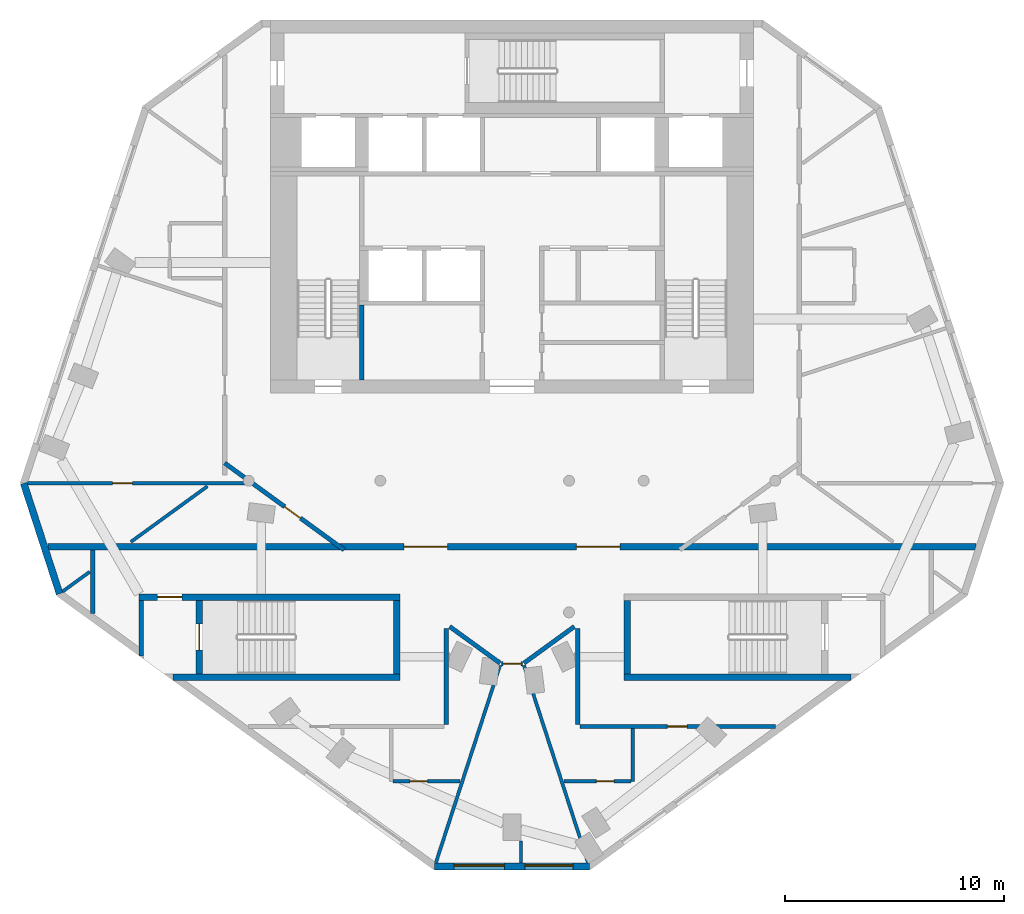
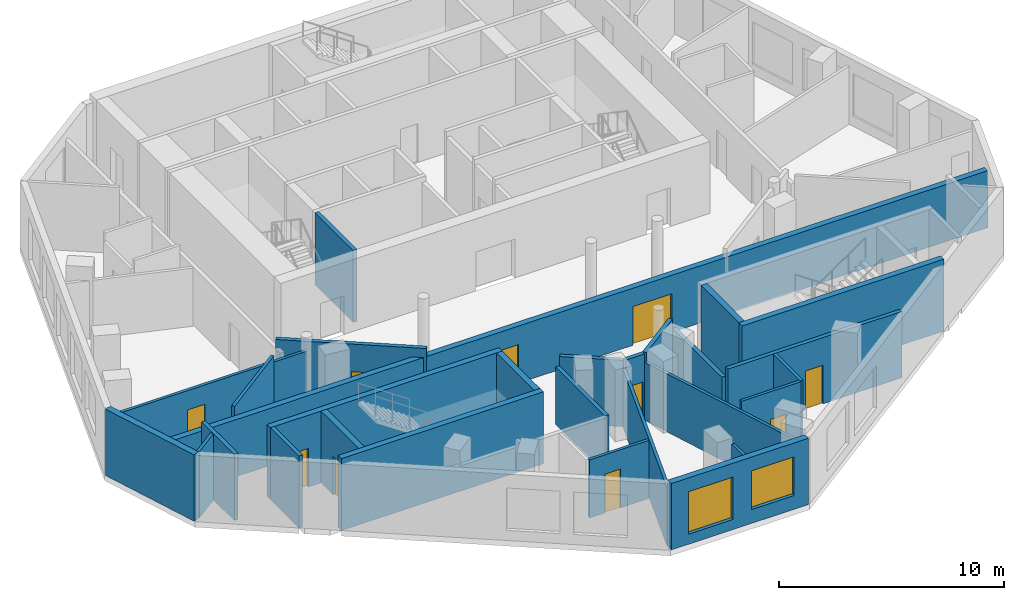
# One storey, part 2 of 8: 28 walls, 10 doors, 2 windows, 12 openings.
"""IFC4 building model written with IfcOpenShell, lengths in metres."""

from ifc_helpers import new_model, si_unit, direction, frame, frame_2d, origin, place, context, subcontext, project, spatial, rectangle, extrude, material, layer, layer_set, type_object, element, fill, save


model = new_model("IFC4")

# Units and contexts
model_context = context("Model", 3, precision=1e-05, world=origin(), true_north=direction((0.0, 1.0)))
body_context = subcontext(model_context, "Body", "Model", "MODEL_VIEW")
ifc_project = project(units=[si_unit("LENGTHUNIT", "METRE"), si_unit("AREAUNIT", "SQUARE_METRE"), si_unit("VOLUMEUNIT", "CUBIC_METRE"), si_unit("PLANEANGLEUNIT", "RADIAN"), si_unit("MASSUNIT", "GRAM", prefix="KILO")], contexts=[model_context])

# Site, building, storey
site_placement = place(None, origin())
site = spatial("IfcSite", under=ifc_project, at=site_placement, CompositionType="ELEMENT")
building_placement = place(site_placement, origin())
building = spatial("IfcBuilding", under=site, at=building_placement, Name="White Candle Pilgrim Tower", CompositionType="ELEMENT")
storey_placement = place(building_placement, frame((0.0, 0.0, 313.89990234375)))
storey = spatial("IfcBuildingStorey", under=building, at=storey_placement, Name="L74", CompositionType="ELEMENT", Elevation=313.89990234375)

# Walls
ifc_material_1 = material(Name="Concrete C40/50", Category="concrete")
ifc_layer_1 = layer(ifc_material_1, 0.199951171875)
ifc_layer_set_1 = layer_set([ifc_layer_1], Name="Core wall 200 mm Concrete C40/50")
wall_type_1 = type_object("IfcWallType", Name="Core wall 200 mm Concrete C40/50", PredefinedType="SHEAR", material=ifc_layer_set_1)
wall_1_placement = place(storey_placement, frame((53.10009765625, 59.023193359375, 0.0), z_axis=(0.0, 0.0, 1.0), x_axis=(0.0, 1.0, 0.0)))
element("IfcWall", 1, at=wall_1_placement, inside=storey, type_object=wall_type_1, Name="WL-L74-C07", PredefinedType="SHEAR", context=body_context, shape_type="SweptSolid", body=[
    extrude(rectangle(XDim=2.52685546875, YDim=0.199951171875, at=frame_2d((1.263427734375, 0.0))), origin(), (0.0, 0.0, 1.0), 3.900146484375),
])
ifc_material_2 = material(Name="Gypsum board on steel studs", Category="steel")
ifc_layer_2 = layer(ifc_material_2, 0.199951171875)
ifc_layer_set_2 = layer_set([ifc_layer_2], Name="Corridor wall 200 mm EI 45")
wall_type_2 = type_object("IfcWallType", Name="Corridor wall 200 mm EI 45", PredefinedType="PARTITIONING", material=ifc_layer_set_2)
wall_2_placement = place(storey_placement, frame((50.89990234375, 60.9443359375, 0.0), z_axis=(0.0, 0.0, 1.0), x_axis=(0.0, 1.0, 0.0)))
element("IfcWall", 2, at=wall_2_placement, inside=storey, type_object=wall_type_2, Name="WL-L74-P002", PredefinedType="PARTITIONING", context=body_context, shape_type="SweptSolid", body=[
    extrude(rectangle(XDim=2.90576171875, YDim=0.199951171875, at=frame_2d((1.452880859375, 0.0))), origin(), (0.0, 0.0, 1.0), 3.60009765625),
])

# Wall, opening, door
wall_3_placement = place(storey_placement, frame((62.3486328125, 63.85009765625, 0.0), z_axis=(0.0, 0.0, 1.0), x_axis=(-0.809033820778, 0.587762092038, 0.0)))
wall_3 = element("IfcWall", 3, at=wall_3_placement, inside=storey, type_object=wall_type_2, Name="WL-L74-P003", PredefinedType="PARTITIONING", context=body_context, shape_type="SweptSolid", body=[
    extrude(rectangle(XDim=6.73486328125, YDim=0.199951171875, at=frame_2d((3.367431640625, 0.0))), origin(), (0.0, 0.0, 1.0), 3.60009765625),
])
opening_1_placement = place(wall_3_placement, frame((2.44970703125, 0.0, 0.0)))
opening_1 = element("IfcOpeningElement", 4, at=opening_1_placement, cuts=wall_3, Name="Opening T22-119", PredefinedType="OPENING", context=body_context, shape_type="SweptSolid", body=[
    extrude(rectangle(XDim=0.89990234375, YDim=2.10009765625, at=frame_2d((0.449951171875, 1.050048828125))), frame((0.0, 0.10986328125, 0.0), z_axis=(0.0, -1.0, 0.0), x_axis=(1.0, 0.0, 0.0)), (0.0, 0.0, 1.0), 0.219970703125),
])
ifc_material_3 = material(Name="Steel door leaf", Category="steel")
door_type_1 = type_object("IfcDoorType", Name="Fire door 900 x 2100 EI 30", OperationType="NOTDEFINED", PredefinedType="DOOR", material=ifc_material_3)
door_1_placement = place(opening_1_placement, origin())
door_1 = element("IfcDoor", 5, at=door_1_placement, inside=storey, type_object=door_type_1, Name="Door T22-119", OperationType="SINGLE_SWING_LEFT", OverallHeight=2.10009765625, OverallWidth=0.89990234375, PredefinedType="DOOR", context=body_context, shape_type="SweptSolid", body=[
    extrude(rectangle(XDim=0.89990234375, YDim=2.10009765625, at=frame_2d((0.449951171875, 1.050048828125))), frame((0.0, 0.02490234375, 0.0), z_axis=(0.0, -1.0, 0.0), x_axis=(1.0, 0.0, 0.0)), (0.0, 0.0, 1.0), 0.050048828125),
])
fill(opening_1, door_1)

wall_4_placement = place(storey_placement, frame((82.019287109375, 55.800048828125, 0.0), z_axis=(0.0, 0.0, 1.0), x_axis=(-1.0, 0.0, 0.0)))
wall_4 = element("IfcWall", 6, at=wall_4_placement, inside=storey, type_object=wall_type_2, Name="WL-L74-P008", PredefinedType="PARTITIONING", context=body_context, shape_type="SweptSolid", body=[
    extrude(rectangle(XDim=8.919189453125, YDim=0.199951171875, at=frame_2d((4.45947265625, 0.0))), origin(), (0.0, 0.0, 1.0), 3.60009765625),
])
opening_2_placement = place(wall_4_placement, frame((4.0419921875, 0.0, 0.0)))
opening_2 = element("IfcOpeningElement", 7, at=opening_2_placement, cuts=wall_4, Name="Opening T22-106", PredefinedType="OPENING", context=body_context, shape_type="SweptSolid", body=[
    extrude(rectangle(XDim=0.89990234375, YDim=2.10009765625, at=frame_2d((0.449951171875, 1.050048828125))), frame((0.0, 0.10986328125, 0.0), z_axis=(0.0, -1.0, 0.0), x_axis=(1.0, 0.0, 0.0)), (0.0, 0.0, 1.0), 0.219970703125),
])
door_2_placement = place(opening_2_placement, origin())
door_2 = element("IfcDoor", 8, at=door_2_placement, inside=storey, type_object=door_type_1, Name="Door T22-106", OperationType="SINGLE_SWING_RIGHT", OverallHeight=2.10009765625, OverallWidth=0.89990234375, PredefinedType="DOOR", context=body_context, shape_type="SweptSolid", body=[
    extrude(rectangle(XDim=0.89990234375, YDim=2.10009765625, at=frame_2d((0.449951171875, 1.050048828125))), frame((0.0, 0.02490234375, 0.0), z_axis=(0.0, -1.0, 0.0), x_axis=(1.0, 0.0, 0.0)), (0.0, 0.0, 1.0), 0.050048828125),
])
fill(opening_2, door_2)

# Walls
wall_5_placement = place(storey_placement, frame((73.0, 55.89990234375, 0.0), z_axis=(0.0, 0.0, 1.0), x_axis=(0.0, 1.0, 0.0)))
element("IfcWall", 9, at=wall_5_placement, inside=storey, type_object=wall_type_2, Name="WL-L74-P009", PredefinedType="PARTITIONING", context=body_context, shape_type="SweptSolid", body=[
    extrude(rectangle(XDim=4.37451171875, YDim=0.199951171875, at=frame_2d((2.187255859375, 0.0))), origin(), (0.0, 0.0, 1.0), 3.10009765625),
])
wall_6_placement = place(storey_placement, frame((72.84130859375, 60.355224609375, 0.0), z_axis=(0.0, 0.0, 1.0), x_axis=(-0.80904479074, -0.587746991976, 0.0)))
element("IfcWall", 10, at=wall_6_placement, inside=storey, type_object=wall_type_2, Name="WL-L74-P010", PredefinedType="PARTITIONING", context=body_context, shape_type="SweptSolid", body=[
    extrude(rectangle(XDim=2.83740234375, YDim=0.199951171875, at=frame_2d((1.418701171875, 0.0))), origin(), (0.0, 0.0, 1.0), 3.60009765625),
])

# Wall, opening, door
wall_7_placement = place(storey_placement, frame((70.48681640625, 58.668212890625, 0.0), z_axis=(0.0, 0.0, 1.0), x_axis=(-1.0, 0.0, 0.0)))
wall_7 = element("IfcWall", 11, at=wall_7_placement, inside=storey, type_object=wall_type_2, Name="WL-L74-P011", PredefinedType="PARTITIONING", context=body_context, shape_type="SweptSolid", body=[
    extrude(rectangle(XDim=0.9736328125, YDim=0.199951171875, at=frame_2d((0.48681640625, 0.0))), origin(), (0.0, 0.0, 1.0), 3.60009765625),
])
opening_3_placement = place(wall_7_placement, frame((0.0869140625, 0.0, 0.0)))
opening_3 = element("IfcOpeningElement", 12, at=opening_3_placement, cuts=wall_7, Name="Opening T22-104", PredefinedType="OPENING", context=body_context, shape_type="SweptSolid", body=[
    extrude(rectangle(XDim=0.800048828125, YDim=2.10009765625, at=frame_2d((0.39990234375, 1.050048828125))), frame((0.0, 0.10986328125, 0.0), z_axis=(0.0, -1.0, 0.0), x_axis=(1.0, 0.0, 0.0)), (0.0, 0.0, 1.0), 0.219970703125),
])
door_type_2 = type_object("IfcDoorType", Name="Fire door 800 x 2100 EI 30", OperationType="NOTDEFINED", PredefinedType="DOOR", material=ifc_material_3)
door_3_placement = place(opening_3_placement, origin())
door_3 = element("IfcDoor", 13, at=door_3_placement, inside=storey, type_object=door_type_2, Name="Door T22-104", OperationType="SINGLE_SWING_RIGHT", OverallHeight=2.10009765625, OverallWidth=0.800048828125, PredefinedType="DOOR", context=body_context, shape_type="SweptSolid", body=[
    extrude(rectangle(XDim=0.800048828125, YDim=2.10009765625, at=frame_2d((0.39990234375, 1.050048828125))), frame((0.0, 0.02490234375, 0.0), z_axis=(0.0, -1.0, 0.0), x_axis=(1.0, 0.0, 0.0)), (0.0, 0.0, 1.0), 0.050048828125),
])
fill(opening_3, door_3)

# Walls
wall_8_placement = place(storey_placement, frame((69.454345703125, 58.6875, 0.0), z_axis=(0.0, 0.0, 1.0), x_axis=(-0.80904479074, 0.587746991976, 0.0)))
element("IfcWall", 14, at=wall_8_placement, inside=storey, type_object=wall_type_2, Name="WL-L74-P012", PredefinedType="PARTITIONING", context=body_context, shape_type="SweptSolid", body=[
    extrude(rectangle(XDim=2.83740234375, YDim=0.199951171875, at=frame_2d((1.418701171875, 0.0))), origin(), (0.0, 0.0, 1.0), 3.60009765625),
])
wall_9_placement = place(storey_placement, frame((67.0, 60.2744140625, 0.0), z_axis=(0.0, 0.0, 1.0), x_axis=(0.0, -1.0, 0.0)))
element("IfcWall", 15, at=wall_9_placement, inside=storey, type_object=wall_type_2, Name="WL-L74-P013", PredefinedType="PARTITIONING", context=body_context, shape_type="SweptSolid", body=[
    extrude(rectangle(XDim=4.37451171875, YDim=0.199951171875, at=frame_2d((2.187255859375, 0.0))), origin(), (0.0, 0.0, 1.0), 3.10009765625),
])
ifc_material_4 = material(Name="Precast concrete C40/50", Category="concrete")
ifc_layer_3 = layer(ifc_material_4, 0.320068359375)
ifc_layer_set_3 = layer_set([ifc_layer_3], Name="Facade wall EW1 precast concrete C40/50 pier wall with timber-lined reveals")
wall_type_3 = type_object("IfcWallType", Name="Facade wall EW1 precast concrete C40/50 pier wall with timber-lined reveals", PredefinedType="SOLIDWALL", material=ifc_layer_set_3)
wall_10_placement = place(storey_placement, frame((47.744140625, 66.8837890625, 0.0), z_axis=(0.0, 0.0, 1.0), x_axis=(0.30904851291, -0.951046274725, 0.0)))
element("IfcWall", 16, at=wall_10_placement, inside=storey, type_object=wall_type_3, Name="Facade wall L74 W chamfer", PredefinedType="SOLIDWALL", context=body_context, shape_type="SweptSolid", body=[
    extrude(rectangle(XDim=5.291259765625, YDim=0.320068359375, at=frame_2d((2.6455078125, 0.0))), origin(), (0.0, 0.0, 1.0), 3.60009765625),
])

# Wall, openings, windows
wall_11_placement = place(storey_placement, frame((66.478515625, 49.42822265625, 0.0), z_axis=(0.0, 0.0, 1.0), x_axis=(1.0, 0.0, 0.0)))
wall_11 = element("IfcWall", 17, at=wall_11_placement, inside=storey, type_object=wall_type_3, Name="Facade wall L74 S chamfer", PredefinedType="SOLIDWALL", context=body_context, shape_type="SweptSolid", body=[
    extrude(rectangle(XDim=7.04296875, YDim=0.320068359375, at=frame_2d((3.521484375, 0.0))), origin(), (0.0, 0.0, 1.0), 3.60009765625),
])
opening_4_placement = place(wall_11_placement, frame((0.87158203125, 0.0, 0.550048828125)))
opening_4 = element("IfcOpeningElement", 18, at=opening_4_placement, cuts=wall_11, Name="Opening W6", PredefinedType="OPENING", context=body_context, shape_type="SweptSolid", body=[
    extrude(rectangle(XDim=2.300048828125, YDim=2.300048828125, at=frame_2d((1.14990234375, 1.14990234375))), frame((0.0, 0.169921875, 0.0), z_axis=(0.0, -1.0, 0.0), x_axis=(1.0, 0.0, 0.0)), (0.0, 0.0, 1.0), 0.340087890625),
])
opening_5_placement = place(wall_11_placement, frame((4.106689453125, 0.0, 0.75)))
opening_5 = element("IfcOpeningElement", 19, at=opening_5_placement, cuts=wall_11, Name="Opening W4", PredefinedType="OPENING", context=body_context, shape_type="SweptSolid", body=[
    extrude(rectangle(XDim=2.199951171875, YDim=2.10009765625, at=frame_2d((1.10009765625, 1.050048828125))), frame((0.0, 0.169921875, 0.0), z_axis=(0.0, -1.0, 0.0), x_axis=(1.0, 0.0, 0.0)), (0.0, 0.0, 1.0), 0.340087890625),
])
ifc_material_5 = material(Name="Timber frame with triple glazing", Category="wood")
window_type_1 = type_object("IfcWindowType", Name="Window W4 2200x2100 timber frame triple glazing", PartitioningType="SINGLE_PANEL", PredefinedType="WINDOW", material=ifc_material_5)
window_1_placement = place(opening_5_placement, origin())
window_1 = element("IfcWindow", 20, at=window_1_placement, inside=storey, type_object=window_type_1, Name="Window W4 L74 S chamfer 2", OverallHeight=2.10009765625, OverallWidth=2.199951171875, PartitioningType="SINGLE_PANEL", PredefinedType="WINDOW", context=body_context, shape_type="SweptSolid", body=[
    extrude(rectangle(XDim=2.199951171875, YDim=2.10009765625, at=frame_2d((1.10009765625, 1.050048828125))), frame((0.0, 0.070068359375, 0.0), z_axis=(0.0, -1.0, 0.0), x_axis=(1.0, 0.0, 0.0)), (0.0, 0.0, 1.0), 0.06005859375),
])
fill(opening_5, window_1)
window_type_2 = type_object("IfcWindowType", Name="Window W6 2300x2300 timber frame triple glazing", PartitioningType="SINGLE_PANEL", PredefinedType="WINDOW", material=ifc_material_5)
window_2_placement = place(opening_4_placement, origin())
window_2 = element("IfcWindow", 21, at=window_2_placement, inside=storey, type_object=window_type_2, Name="Window W6 L74 S chamfer 1", OverallHeight=2.300048828125, OverallWidth=2.300048828125, PartitioningType="SINGLE_PANEL", PredefinedType="WINDOW", context=body_context, shape_type="SweptSolid", body=[
    extrude(rectangle(XDim=2.300048828125, YDim=2.300048828125, at=frame_2d((1.14990234375, 1.14990234375))), frame((0.0, 0.070068359375, 0.0), z_axis=(0.0, -1.0, 0.0), x_axis=(1.0, 0.0, 0.0)), (0.0, 0.0, 1.0), 0.06005859375),
])
fill(opening_4, window_2)

# Wall, openings, doors
ifc_material_6 = material(Name="Aerated concrete block", Category="concrete")
ifc_layer_4 = layer(ifc_material_6, 0.300048828125)
ifc_layer_set_4 = layer_set([ifc_layer_4], Name="Fire wall 300 mm REI 240")
wall_type_4 = type_object("IfcWallType", Name="Fire wall 300 mm REI 240", PredefinedType="PARTITIONING", material=ifc_layer_set_4)
wall_12_placement = place(storey_placement, frame((48.849609375, 64.0, 0.0), z_axis=(0.0, 0.0, 1.0), x_axis=(1.0, 0.0, 0.0)))
wall_12 = element("IfcWall", 22, at=wall_12_placement, inside=storey, type_object=wall_type_4, Name="WL-L74-P001", PredefinedType="PARTITIONING", context=body_context, shape_type="SweptSolid", body=[
    extrude(rectangle(XDim=42.30078125, YDim=0.300048828125, at=frame_2d((21.150390625, 0.0))), origin(), (0.0, 0.0, 1.0), 3.10009765625),
])
opening_6_placement = place(wall_12_placement, frame((16.2216796875, 0.0, 0.0)))
opening_6 = element("IfcOpeningElement", 23, at=opening_6_placement, cuts=wall_12, Name="Opening T22-108", PredefinedType="OPENING", context=body_context, shape_type="SweptSolid", body=[
    extrude(rectangle(XDim=2.0, YDim=2.10009765625, at=frame_2d((1.0, 1.050048828125))), frame((0.0, 0.159912109375, 0.0), z_axis=(0.0, -1.0, 0.0), x_axis=(1.0, 0.0, 0.0)), (0.0, 0.0, 1.0), 0.320068359375),
])
opening_7_placement = place(wall_12_placement, frame((24.079345703125, 0.0, 0.0)))
opening_7 = element("IfcOpeningElement", 24, at=opening_7_placement, cuts=wall_12, Name="Opening T22-109", PredefinedType="OPENING", context=body_context, shape_type="SweptSolid", body=[
    extrude(rectangle(XDim=2.0, YDim=2.10009765625, at=frame_2d((1.0, 1.050048828125))), frame((0.0, 0.159912109375, 0.0), z_axis=(0.0, -1.0, 0.0), x_axis=(1.0, 0.0, 0.0)), (0.0, 0.0, 1.0), 0.320068359375),
])
door_type_3 = type_object("IfcDoorType", Name="Fire door 2000 x 2100 EI 60", OperationType="NOTDEFINED", PredefinedType="DOOR", material=ifc_material_3)
door_4_placement = place(opening_6_placement, origin())
door_4 = element("IfcDoor", 25, at=door_4_placement, inside=storey, type_object=door_type_3, Name="Door T22-108", OperationType="DOUBLE_DOOR_SINGLE_SWING", OverallHeight=2.10009765625, OverallWidth=2.0, PredefinedType="DOOR", context=body_context, shape_type="SweptSolid", body=[
    extrude(rectangle(XDim=2.0, YDim=2.10009765625, at=frame_2d((1.0, 1.050048828125))), frame((0.0, 0.02490234375, 0.0), z_axis=(0.0, -1.0, 0.0), x_axis=(1.0, 0.0, 0.0)), (0.0, 0.0, 1.0), 0.050048828125),
])
fill(opening_6, door_4)
door_5_placement = place(opening_7_placement, origin())
door_5 = element("IfcDoor", 26, at=door_5_placement, inside=storey, type_object=door_type_3, Name="Door T22-109", OperationType="DOUBLE_DOOR_SINGLE_SWING", OverallHeight=2.10009765625, OverallWidth=2.0, PredefinedType="DOOR", context=body_context, shape_type="SweptSolid", body=[
    extrude(rectangle(XDim=2.0, YDim=2.10009765625, at=frame_2d((1.0, 1.050048828125))), frame((0.0, 0.02490234375, 0.0), z_axis=(0.0, -1.0, 0.0), x_axis=(1.0, 0.0, 0.0)), (0.0, 0.0, 1.0), 0.050048828125),
])
fill(opening_7, door_5)

# Wall, opening, door
ifc_layer_5 = layer(ifc_material_2, 0.14990234375)
ifc_layer_set_5 = layer_set([ifc_layer_5], Name="Partition 150 mm EI 60")
wall_type_5 = type_object("IfcWallType", Name="Partition 150 mm EI 60", PredefinedType="PARTITIONING", material=ifc_layer_set_5)
wall_13_placement = place(storey_placement, frame((47.91259765625, 66.8837890625, 0.0), z_axis=(0.0, 0.0, 1.0), x_axis=(1.0, 0.0, 0.0)))
wall_13 = element("IfcWall", 27, at=wall_13_placement, inside=storey, type_object=wall_type_5, Name="WL-L74-P016", PredefinedType="PARTITIONING", context=body_context, shape_type="SweptSolid", body=[
    extrude(rectangle(XDim=9.987060546875, YDim=0.14990234375, at=frame_2d((4.99365234375, 0.0))), origin(), (0.0, 0.0, 1.0), 3.150146484375),
])
opening_8_placement = place(wall_13_placement, frame((3.8798828125, 0.0, 0.0)))
opening_8 = element("IfcOpeningElement", 28, at=opening_8_placement, cuts=wall_13, Name="Opening T22-120", PredefinedType="OPENING", context=body_context, shape_type="SweptSolid", body=[
    extrude(rectangle(XDim=0.89990234375, YDim=2.10009765625, at=frame_2d((0.449951171875, 1.050048828125))), frame((0.0, 0.0849609375, 0.0), z_axis=(0.0, -1.0, 0.0), x_axis=(1.0, 0.0, 0.0)), (0.0, 0.0, 1.0), 0.169921875),
])
door_6_placement = place(opening_8_placement, frame((0.89990234375, 0.0, 0.0), z_axis=(0.0, 0.0, 1.0), x_axis=(-1.0, 0.0, 0.0)))
door_6 = element("IfcDoor", 29, at=door_6_placement, inside=storey, type_object=door_type_1, Name="Door T22-120", OperationType="SINGLE_SWING_LEFT", OverallHeight=2.10009765625, OverallWidth=0.89990234375, PredefinedType="DOOR", context=body_context, shape_type="SweptSolid", body=[
    extrude(rectangle(XDim=0.89990234375, YDim=2.10009765625, at=frame_2d((0.449951171875, 1.050048828125))), frame((0.0, 0.02490234375, 0.0), z_axis=(0.0, -1.0, 0.0), x_axis=(1.0, 0.0, 0.0)), (0.0, 0.0, 1.0), 0.050048828125),
])
fill(opening_8, door_6)

# Walls
wall_14_placement = place(storey_placement, frame((49.515380859375, 61.950439453125, 0.0), z_axis=(0.0, 0.0, 1.0), x_axis=(0.809059590881, 0.587726618764, 0.0)))
element("IfcWall", 30, at=wall_14_placement, inside=storey, type_object=wall_type_5, Name="WL-L74-P017", PredefinedType="PARTITIONING", context=body_context, shape_type="SweptSolid", body=[
    extrude(rectangle(XDim=1.533203125, YDim=0.14990234375, at=frame_2d((0.7666015625, 0.0))), origin(), (0.0, 0.0, 1.0), 3.60009765625),
])
wall_15_placement = place(storey_placement, frame((52.62646484375, 64.210693359375, 0.0), z_axis=(0.0, 0.0, 1.0), x_axis=(0.809014773285, 0.587788309348, 0.0)))
element("IfcWall", 31, at=wall_15_placement, inside=storey, type_object=wall_type_5, Name="WL-L74-P018", PredefinedType="PARTITIONING", context=body_context, shape_type="SweptSolid", body=[
    extrude(rectangle(XDim=4.317138671875, YDim=0.14990234375, at=frame_2d((2.15869140625, 0.0))), origin(), (0.0, 0.0, 1.0), 3.60009765625),
])
for number, where, z_axis, x_axis, name in (
    (32, (66.530517578125, 49.58837890625, 0.0), (0.0, 0.0, 1.0), (0.3090043917, 0.95106061106, 0.0), "WL-L74-P019"),
    (33, (73.469482421875, 49.58837890625, 0.0), (0.0, 0.0, 1.0), (-0.3090043917, 0.95106061106, 0.0), "WL-L74-P020"),
):
    element("IfcWall", number, at=place(storey_placement, frame(where, z_axis=z_axis, x_axis=x_axis)), inside=storey, type_object=wall_type_5, Name=name, PredefinedType="PARTITIONING", context=body_context, shape_type="SweptSolid", body=[
        extrude(rectangle(XDim=9.462158203125, YDim=0.14990234375, at=frame_2d((4.73095703125, 0.0))), origin(), (0.0, 0.0, 1.0), 3.150146484375),
    ])

# Wall, opening, door
wall_16_placement = place(storey_placement, frame((67.63330078125, 53.300048828125, 0.0), z_axis=(0.0, 0.0, 1.0), x_axis=(-1.0, 0.0, 0.0)))
wall_16 = element("IfcWall", 34, at=wall_16_placement, inside=storey, type_object=wall_type_5, Name="WL-L74-P030", PredefinedType="PARTITIONING", context=body_context, shape_type="SweptSolid", body=[
    extrude(rectangle(XDim=3.058349609375, YDim=0.14990234375, at=frame_2d((1.529296875, 0.0))), origin(), (0.0, 0.0, 1.0), 3.150146484375),
])
opening_9_placement = place(wall_16_placement, frame((1.483154296875, 0.0, 0.0)))
opening_9 = element("IfcOpeningElement", 35, at=opening_9_placement, cuts=wall_16, Name="Opening T22-102", PredefinedType="OPENING", context=body_context, shape_type="SweptSolid", body=[
    extrude(rectangle(XDim=0.800048828125, YDim=2.10009765625, at=frame_2d((0.39990234375, 1.050048828125))), frame((0.0, 0.0849609375, 0.0), z_axis=(0.0, -1.0, 0.0), x_axis=(1.0, 0.0, 0.0)), (0.0, 0.0, 1.0), 0.169921875),
])
door_7_placement = place(opening_9_placement, origin())
door_7 = element("IfcDoor", 36, at=door_7_placement, inside=storey, type_object=door_type_2, Name="Door T22-102", OperationType="SINGLE_SWING_RIGHT", OverallHeight=2.10009765625, OverallWidth=0.800048828125, PredefinedType="DOOR", context=body_context, shape_type="SweptSolid", body=[
    extrude(rectangle(XDim=0.800048828125, YDim=2.10009765625, at=frame_2d((0.39990234375, 1.050048828125))), frame((0.0, 0.02490234375, 0.0), z_axis=(0.0, -1.0, 0.0), x_axis=(1.0, 0.0, 0.0)), (0.0, 0.0, 1.0), 0.050048828125),
])
fill(opening_9, door_7)

# Wall
wall_17_placement = place(storey_placement, frame((75.5, 55.699951171875, 0.0), z_axis=(0.0, 0.0, 1.0), x_axis=(0.0, -1.0, 0.0)))
element("IfcWall", 37, at=wall_17_placement, inside=storey, type_object=wall_type_5, Name="WL-L74-P031", PredefinedType="PARTITIONING", context=body_context, shape_type="SweptSolid", body=[
    extrude(rectangle(XDim=2.39990234375, YDim=0.14990234375, at=frame_2d((1.199951171875, 0.0))), origin(), (0.0, 0.0, 1.0), 3.60009765625),
])

# Wall, opening, door
wall_18_placement = place(storey_placement, frame((72.36669921875, 53.300048828125, 0.0), z_axis=(0.0, 0.0, 1.0), x_axis=(1.0, 0.0, 0.0)))
wall_18 = element("IfcWall", 38, at=wall_18_placement, inside=storey, type_object=wall_type_5, Name="WL-L74-P032", PredefinedType="PARTITIONING", context=body_context, shape_type="SweptSolid", body=[
    extrude(rectangle(XDim=3.058349609375, YDim=0.14990234375, at=frame_2d((1.529296875, 0.0))), origin(), (0.0, 0.0, 1.0), 3.60009765625),
])
opening_10_placement = place(wall_18_placement, frame((1.483154296875, 0.0, 0.0)))
opening_10 = element("IfcOpeningElement", 39, at=opening_10_placement, cuts=wall_18, Name="Opening T22-105", PredefinedType="OPENING", context=body_context, shape_type="SweptSolid", body=[
    extrude(rectangle(XDim=0.800048828125, YDim=2.10009765625, at=frame_2d((0.39990234375, 1.050048828125))), frame((0.0, 0.0849609375, 0.0), z_axis=(0.0, -1.0, 0.0), x_axis=(1.0, 0.0, 0.0)), (0.0, 0.0, 1.0), 0.169921875),
])
door_8_placement = place(opening_10_placement, frame((0.800048828125, 0.0, 0.0), z_axis=(0.0, 0.0, 1.0), x_axis=(-1.0, 0.0, 0.0)))
door_8 = element("IfcDoor", 40, at=door_8_placement, inside=storey, type_object=door_type_2, Name="Door T22-105", OperationType="SINGLE_SWING_RIGHT", OverallHeight=2.10009765625, OverallWidth=0.800048828125, PredefinedType="DOOR", context=body_context, shape_type="SweptSolid", body=[
    extrude(rectangle(XDim=0.800048828125, YDim=2.10009765625, at=frame_2d((0.39990234375, 1.050048828125))), frame((0.0, 0.02490234375, 0.0), z_axis=(0.0, -1.0, 0.0), x_axis=(1.0, 0.0, 0.0)), (0.0, 0.0, 1.0), 0.050048828125),
])
fill(opening_10, door_8)

# Walls
wall_19_placement = place(storey_placement, frame((70.409912109375, 50.580078125, 0.0), z_axis=(0.0, 0.0, 1.0), x_axis=(0.0, -1.0, 0.0)))
element("IfcWall", 41, at=wall_19_placement, inside=storey, type_object=wall_type_5, Name="WL-L74-P039", PredefinedType="PARTITIONING", context=body_context, shape_type="SweptSolid", body=[
    extrude(rectangle(XDim=0.99169921875, YDim=0.14990234375, at=frame_2d((0.495849609375, 0.0))), origin(), (0.0, 0.0, 1.0), 3.60009765625),
])
ifc_layer_6 = layer(ifc_material_1, 0.199951171875)
ifc_layer_set_6 = layer_set([ifc_layer_6], Name="Stair shaft wall 200 mm Concrete C40/50")
wall_type_6 = type_object("IfcWallType", Name="Stair shaft wall 200 mm Concrete C40/50", PredefinedType="SHEAR", material=ifc_layer_set_6)
wall_20_placement = place(storey_placement, frame((63.14990234375, 71.60009765625, 0.0), z_axis=(0.0, 0.0, 1.0), x_axis=(0.0, 1.0, 0.0)))
element("IfcWall", 42, at=wall_20_placement, inside=storey, type_object=wall_type_6, Name="WL-L74-C13", PredefinedType="SHEAR", context=body_context, shape_type="SweptSolid", body=[
    extrude(rectangle(XDim=3.39990234375, YDim=0.199951171875, at=frame_2d((1.699951171875, 0.0))), origin(), (0.0, 0.0, 1.0), 3.900146484375),
])
ifc_layer_7 = layer(ifc_material_1, 0.300048828125)
ifc_layer_set_7 = layer_set([ifc_layer_7], Name="Stair shaft wall 300 mm Concrete C40/50")
wall_type_7 = type_object("IfcWallType", Name="Stair shaft wall 300 mm Concrete C40/50", PredefinedType="SHEAR", material=ifc_layer_set_7)
for number, where, z_axis, x_axis, name in (
    (43, (54.5458984375, 58.050048828125, 0.0), (0.0, 0.0, 1.0), (1.0, 0.0, 0.0), "WL-L74-C01"),
    (44, (75.10009765625, 58.050048828125, 0.0), (0.0, 0.0, 1.0), (1.0, 0.0, 0.0), "WL-L74-C02"),
):
    element("IfcWall", number, at=place(storey_placement, frame(where, z_axis=z_axis, x_axis=x_axis)), inside=storey, type_object=wall_type_7, Name=name, PredefinedType="SHEAR", context=body_context, shape_type="SweptSolid", body=[
        extrude(rectangle(XDim=10.35400390625, YDim=0.300048828125, at=frame_2d((5.177001953125, 0.0))), origin(), (0.0, 0.0, 1.0), 3.900146484375),
    ])

# Wall, opening, door
wall_21_placement = place(storey_placement, frame((55.75, 58.199951171875, 0.0), z_axis=(0.0, 0.0, 1.0), x_axis=(0.0, 1.0, 0.0)))
wall_21 = element("IfcWall", 45, at=wall_21_placement, inside=storey, type_object=wall_type_7, Name="WL-L74-C03", PredefinedType="SHEAR", context=body_context, shape_type="SweptSolid", body=[
    extrude(rectangle(XDim=3.35009765625, YDim=0.300048828125, at=frame_2d((1.675048828125, 0.0))), origin(), (0.0, 0.0, 1.0), 3.900146484375),
])
opening_11_placement = place(wall_21_placement, frame((1.074951171875, 0.0, 0.0)))
opening_11 = element("IfcOpeningElement", 46, at=opening_11_placement, cuts=wall_21, Name="Opening T22-011", PredefinedType="OPENING", context=body_context, shape_type="SweptSolid", body=[
    extrude(rectangle(XDim=1.199951171875, YDim=2.10009765625, at=frame_2d((0.60009765625, 1.050048828125))), frame((0.0, 0.159912109375, 0.0), z_axis=(0.0, -1.0, 0.0), x_axis=(1.0, 0.0, 0.0)), (0.0, 0.0, 1.0), 0.320068359375),
])
door_type_4 = type_object("IfcDoorType", Name="Fire door 1200 x 2100 EI 60", OperationType="NOTDEFINED", PredefinedType="DOOR", material=ifc_material_3)
door_9_placement = place(opening_11_placement, frame((1.199951171875, 0.0, 0.0), z_axis=(0.0, 0.0, 1.0), x_axis=(-1.0, 0.0, 0.0)))
door_9 = element("IfcDoor", 47, at=door_9_placement, inside=storey, type_object=door_type_4, Name="Door T22-011", OperationType="SINGLE_SWING_RIGHT", OverallHeight=2.10009765625, OverallWidth=1.199951171875, PredefinedType="DOOR", context=body_context, shape_type="SweptSolid", body=[
    extrude(rectangle(XDim=1.199951171875, YDim=2.10009765625, at=frame_2d((0.60009765625, 1.050048828125))), frame((0.0, 0.02490234375, 0.0), z_axis=(0.0, -1.0, 0.0), x_axis=(1.0, 0.0, 0.0)), (0.0, 0.0, 1.0), 0.050048828125),
])
fill(opening_11, door_9)

# Walls
for number, where, z_axis, x_axis, name in (
    (48, (64.75, 58.199951171875, 0.0), (0.0, 0.0, 1.0), (0.0, 1.0, 0.0), "WL-L74-C04"),
    (49, (75.25, 58.199951171875, 0.0), (0.0, 0.0, 1.0), (0.0, 1.0, 0.0), "WL-L74-C05"),
):
    element("IfcWall", number, at=place(storey_placement, frame(where, z_axis=z_axis, x_axis=x_axis)), inside=storey, type_object=wall_type_7, Name=name, PredefinedType="SHEAR", context=body_context, shape_type="SweptSolid", body=[
        extrude(rectangle(XDim=3.35009765625, YDim=0.300048828125, at=frame_2d((1.675048828125, 0.0))), origin(), (0.0, 0.0, 1.0), 3.900146484375),
    ])

# Wall, opening, door
wall_22_placement = place(storey_placement, frame((53.0, 61.699951171875, 0.0), z_axis=(0.0, 0.0, 1.0), x_axis=(1.0, 0.0, 0.0)))
wall_22 = element("IfcWall", 50, at=wall_22_placement, inside=storey, type_object=wall_type_7, Name="WL-L74-C09", PredefinedType="SHEAR", context=body_context, shape_type="SweptSolid", body=[
    extrude(rectangle(XDim=11.89990234375, YDim=0.300048828125, at=frame_2d((5.949951171875, 0.0))), origin(), (0.0, 0.0, 1.0), 3.900146484375),
])
opening_12_placement = place(wall_22_placement, frame((0.85009765625, 0.0, 0.0)))
opening_12 = element("IfcOpeningElement", 51, at=opening_12_placement, cuts=wall_22, Name="Opening T22-010", PredefinedType="OPENING", context=body_context, shape_type="SweptSolid", body=[
    extrude(rectangle(XDim=1.10009765625, YDim=2.10009765625, at=frame_2d((0.550048828125, 1.050048828125))), frame((0.0, 0.159912109375, 0.0), z_axis=(0.0, -1.0, 0.0), x_axis=(1.0, 0.0, 0.0)), (0.0, 0.0, 1.0), 0.320068359375),
])
door_type_5 = type_object("IfcDoorType", Name="Fire door 1100 x 2100 EI 60", OperationType="NOTDEFINED", PredefinedType="DOOR", material=ifc_material_3)
door_10_placement = place(opening_12_placement, frame((1.10009765625, 0.0, 0.0), z_axis=(0.0, 0.0, 1.0), x_axis=(-1.0, 0.0, 0.0)))
door_10 = element("IfcDoor", 52, at=door_10_placement, inside=storey, type_object=door_type_5, Name="Door T22-010", OperationType="SINGLE_SWING_LEFT", OverallHeight=2.10009765625, OverallWidth=1.10009765625, PredefinedType="DOOR", context=body_context, shape_type="SweptSolid", body=[
    extrude(rectangle(XDim=1.10009765625, YDim=2.10009765625, at=frame_2d((0.550048828125, 1.050048828125))), frame((0.0, 0.02490234375, 0.0), z_axis=(0.0, -1.0, 0.0), x_axis=(1.0, 0.0, 0.0)), (0.0, 0.0, 1.0), 0.050048828125),
])
fill(opening_12, door_10)

save(model, "model.ifc")
